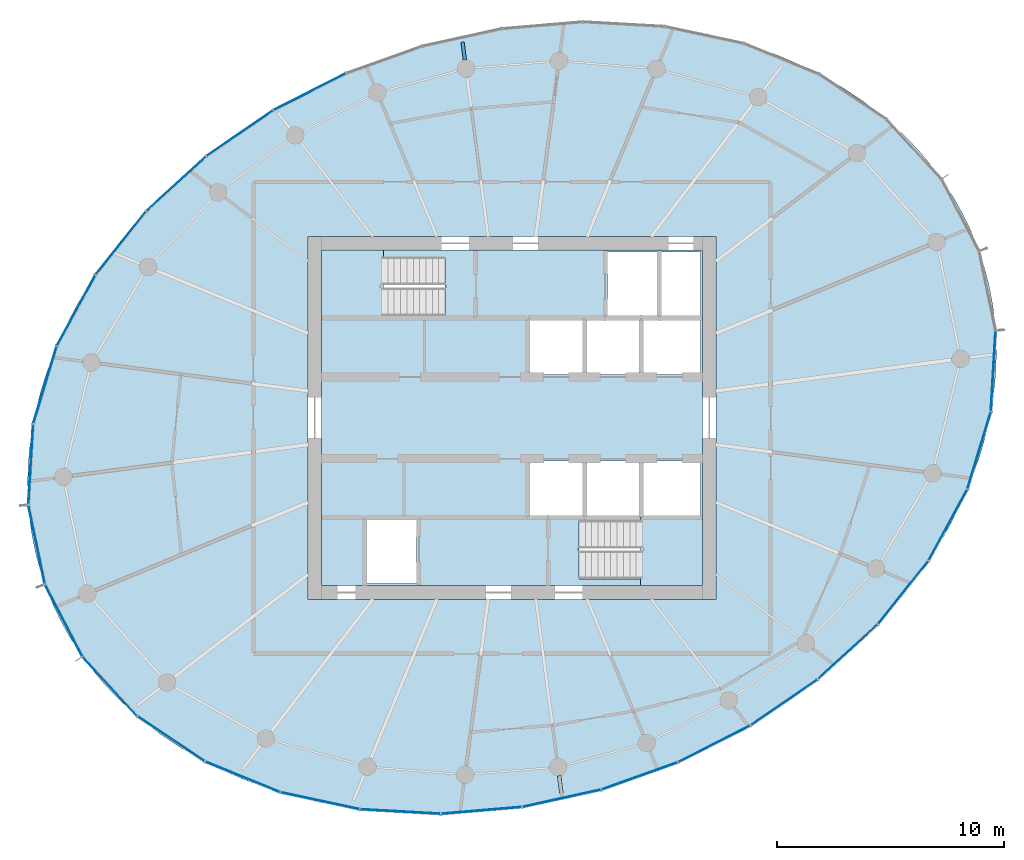
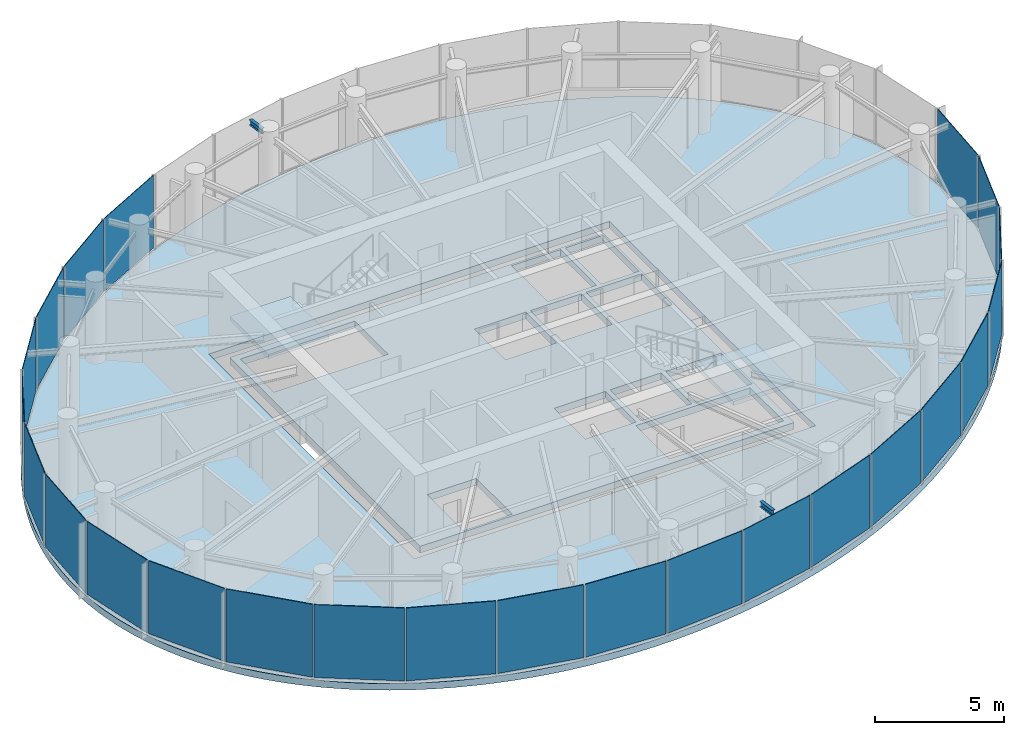
# One storey, part 7 of 13: 24 plates, 4 slabs, 2 beams, 7 elements without a shape of their own.
"""IFC4 building model written with IfcOpenShell, lengths in metres."""

from ifc_helpers import new_model, si_unit, direction, frame, origin, origin_2d, place, context, subcontext, project, spatial, line, indexed_curve, rectangle, i_section, outline, extrude, source, transform, mapped, material, layer, layer_set, material_profile, profile_set, type_object, element, aggregate, save


model = new_model("IFC4")

# Units and contexts
model_context = context("Model", 3, precision=1e-05, world=origin(), true_north=direction((0.0, 1.0)))
body_context = subcontext(model_context, "Body", "Model", "MODEL_VIEW")
ifc_project = project(units=[si_unit("LENGTHUNIT", "METRE"), si_unit("AREAUNIT", "SQUARE_METRE"), si_unit("VOLUMEUNIT", "CUBIC_METRE"), si_unit("PLANEANGLEUNIT", "RADIAN"), si_unit("MASSUNIT", "GRAM", prefix="KILO")], contexts=[model_context])

# Site, building, storey
site_placement = place(None, origin())
site = spatial("IfcSite", under=ifc_project, at=site_placement, CompositionType="ELEMENT")
building_placement = place(site_placement, origin())
building = spatial("IfcBuilding", under=site, at=building_placement, Name="Spindrift Exchange Tower", CompositionType="ELEMENT")
storey_placement = place(building_placement, frame((0.0, 0.0, 246.199951171875)))
storey = spatial("IfcBuildingStorey", under=building, at=storey_placement, Name="L60", CompositionType="ELEMENT", Elevation=246.199951171875)

# Beams
ifc_material_1 = material(Name="Steel Grade 300", Category="steel")
ifc_material_profile = material_profile(ifc_material_1, i_section(OverallWidth=0.14599609375, OverallDepth=0.251953125, WebThickness=0.006103515625, FlangeThickness=0.008544921875, FilletRadius=0.011962890625, at=origin_2d()), Name="250UB31.4")
ifc_profile_set = profile_set([ifc_material_profile], Name="Steel Grade 300")
beam_type = type_object("IfcBeamType", Name="Cantilever Beam 250UB31.4 Steel Grade 300", PredefinedType="BEAM", material=ifc_profile_set)
shared_shape_1 = source(origin(), body_context, "Body", "SweptSolid", [
    extrude(i_section(OverallWidth=0.14599609375, OverallDepth=0.251953125, WebThickness=0.006103515625, FlangeThickness=0.008544921875, FilletRadius=0.011962890625, at=origin_2d()), origin(), (0.0, 0.0, 1.0), 0.792236328125),
])
for number, where, z_axis, x_axis, name in (
    (1, (49.923583984375, 63.772705078125, 3.4541015625), (-0.130669755347, 0.991425950355, 0.0), (-0.991425950355, -0.130669755347, 0.0), "L60 cantilever beam R07T"),
    (2, (54.076416015625, 32.227294921875, 3.4541015625), (0.130669755347, -0.991425950355, 0.0), (0.991425950355, 0.130669755347, 0.0), "L60 cantilever beam R19T"),
):
    element("IfcBeam", number, at=place(storey_placement, frame(where, z_axis=z_axis, x_axis=x_axis)), inside=storey, type_object=beam_type, Name=name, PredefinedType="BEAM", context=body_context, shape_type="MappedRepresentation", body=[
        mapped(shared_shape_1, transform((0.0, 0.0, 0.0), scale=1.0)),
    ])

# Slabs
ifc_material_2 = material(Name="Concrete 40 MPa", Category="concrete")
ifc_layer_1 = layer(ifc_material_2, 0.320068359375)
ifc_layer_set_1 = layer_set([ifc_layer_1], Name="RC Floor Slab 320 Concrete 40 MPa")
slab_type_1 = type_object("IfcSlabType", Name="RC Floor Slab 320 Concrete 40 MPa", PredefinedType="FLOOR", material=ifc_layer_set_1)
slab_1_placement = place(storey_placement, frame((0.0, 0.0, -0.320068359375)))
element("IfcSlab", 3, at=slab_1_placement, inside=storey, type_object=slab_type_1, Name="Floor slab L60", PredefinedType="FLOOR", context=body_context, shape_type="SweptSolid", body=[
    extrude(outline(indexed_curve([(72.587646484375, 55.34765625), (72.469482421875, 55.665283203125), (72.20849609375, 56.291015625), (71.915283203125, 56.902099609375), (71.5908203125, 57.4970703125), (71.417236328125, 57.7880859375), (71.048095703125, 58.356689453125), (70.650634765625, 58.90576171875), (70.44189453125, 59.1728515625), (70.00537109375, 59.691162109375), (69.544189453125, 60.18798828125), (69.304931640625, 60.427978515625), (68.810302734375, 60.891357421875), (68.294921875, 61.331787109375), (68.0302734375, 61.54345703125), (67.4873046875, 61.94921875), (66.927490234375, 62.331298828125), (66.641845703125, 62.513916015625), (66.059814453125, 62.861328125), (65.464599609375, 63.185546875), (65.162353515625, 63.339111328125), (64.549560546875, 63.628662109375), (63.9267578125, 63.89599609375), (63.61181640625, 64.02099609375), (62.975341796875, 64.254638671875), (62.654296875, 64.36328125), (62.33154296875, 64.466552734375), (61.680908203125, 64.65673828125), (61.353515625, 64.743896484375), (60.6943359375, 64.902587890625), (60.363037109375, 64.97412109375), (59.697509765625, 65.101806640625), (59.363037109375, 65.158203125), (58.6923828125, 65.255859375), (57.681640625, 65.36572265625), (56.6669921875, 65.432861328125), (55.650634765625, 65.4580078125), (54.634033203125, 65.442138671875), (53.618896484375, 65.38671875), (52.6064453125, 65.2919921875), (51.598388671875, 65.1591796875), (50.595947265625, 64.9892578125), (49.6005859375, 64.78271484375), (48.613037109375, 64.539794921875), (47.63525390625, 64.26171875), (46.989013671875, 64.056884765625), (46.347900390625, 63.836669921875), (45.396484375, 63.477783203125), (44.769775390625, 63.2197265625), (44.1494140625, 62.94677734375), (43.2314453125, 62.509521484375), (42.330078125, 62.0390625), (41.4462890625, 61.5361328125), (40.58203125, 61.00048828125), (39.73876953125, 60.432861328125), (38.917724609375, 59.8330078125), (38.120849609375, 59.201416015625), (37.35009765625, 58.53857421875), (36.607177734375, 57.84423828125), (35.894287109375, 57.119384765625), (35.43701171875, 56.618896484375), (35.214111328125, 56.36376953125), (34.779541015625, 55.843505859375), (34.568359375, 55.578125), (34.15869140625, 55.0380859375), (33.96044921875, 54.76318359375), (33.577392578125, 54.2041015625), (33.392822265625, 53.919921875), (33.0380859375, 53.342041015625), (32.868408203125, 53.048828125), (32.703857421875, 52.75244140625), (32.390869140625, 52.1513671875), (32.24267578125, 51.846435546875), (31.96337890625, 51.22900390625), (31.707763671875, 50.60107421875), (31.477294921875, 49.963623046875), (31.37158203125, 49.6416015625), (31.1806640625, 48.9912109375), (31.01708984375, 48.33349609375), (30.9462890625, 48.001953125), (30.826416015625, 47.3349609375), (30.73681640625, 46.6630859375), (30.70361328125, 46.32568359375), (30.6611328125, 45.649169921875), (30.652099609375, 45.310302734375), (30.65869140625, 44.632568359375), (30.698974609375, 43.9560546875), (30.773193359375, 43.2822265625), (30.822998046875, 42.947021484375), (30.948486328125, 42.281005859375), (31.0244140625, 41.95068359375), (31.201416015625, 41.29638671875), (31.412353515625, 40.65234375), (31.530517578125, 40.334716796875), (31.79150390625, 39.708984375), (32.084716796875, 39.097900390625), (32.4091796875, 38.5029296875), (32.582763671875, 38.2119140625), (32.951904296875, 37.643310546875), (33.349365234375, 37.09423828125), (33.55810546875, 36.8271484375), (33.99462890625, 36.308837890625), (34.455810546875, 35.81201171875), (34.695068359375, 35.572021484375), (35.189697265625, 35.108642578125), (35.705078125, 34.668212890625), (35.9697265625, 34.45654296875), (36.5126953125, 34.05078125), (37.072509765625, 33.668701171875), (37.358154296875, 33.486083984375), (37.940185546875, 33.138671875), (38.535400390625, 32.814453125), (38.837646484375, 32.660888671875), (39.450439453125, 32.371337890625), (40.0732421875, 32.10400390625), (40.38818359375, 31.97900390625), (41.024658203125, 31.745361328125), (41.345703125, 31.63671875), (41.66845703125, 31.533447265625), (42.319091796875, 31.34326171875), (42.646484375, 31.256103515625), (43.3056640625, 31.097412109375), (43.636962890625, 31.02587890625), (44.302490234375, 30.898193359375), (44.636962890625, 30.841796875), (45.3076171875, 30.744140625), (46.318359375, 30.63427734375), (47.3330078125, 30.567138671875), (48.349365234375, 30.5419921875), (49.365966796875, 30.557861328125), (50.381103515625, 30.61328125), (51.3935546875, 30.7080078125), (52.401611328125, 30.8408203125), (53.404052734375, 31.0107421875), (54.3994140625, 31.21728515625), (55.386962890625, 31.460205078125), (56.36474609375, 31.73828125), (57.010986328125, 31.943115234375), (57.652099609375, 32.163330078125), (58.603515625, 32.522216796875), (59.230224609375, 32.7802734375), (59.8505859375, 33.05322265625), (60.7685546875, 33.490478515625), (61.669921875, 33.9609375), (62.5537109375, 34.4638671875), (63.41796875, 34.99951171875), (64.26123046875, 35.567138671875), (65.082275390625, 36.1669921875), (65.879150390625, 36.798583984375), (66.64990234375, 37.46142578125), (67.392822265625, 38.15576171875), (68.105712890625, 38.880615234375), (68.56298828125, 39.381103515625), (68.785888671875, 39.63623046875), (69.220458984375, 40.156494140625), (69.431640625, 40.421875), (69.84130859375, 40.9619140625), (70.03955078125, 41.23681640625), (70.422607421875, 41.7958984375), (70.607177734375, 42.080078125), (70.9619140625, 42.657958984375), (71.131591796875, 42.951171875), (71.296142578125, 43.24755859375), (71.609130859375, 43.8486328125), (71.75732421875, 44.153564453125), (72.03662109375, 44.77099609375), (72.292236328125, 45.39892578125), (72.522705078125, 46.036376953125), (72.62841796875, 46.3583984375), (72.8193359375, 47.0087890625), (72.98291015625, 47.66650390625), (73.0537109375, 47.998046875), (73.173583984375, 48.6650390625), (73.26318359375, 49.3369140625), (73.29638671875, 49.67431640625), (73.3388671875, 50.350830078125), (73.347900390625, 50.689697265625), (73.34130859375, 51.367431640625), (73.301025390625, 52.0439453125), (73.226806640625, 52.7177734375), (73.177001953125, 53.052978515625), (73.051513671875, 53.718994140625), (72.9755859375, 54.04931640625), (72.798583984375, 54.70361328125)], segments=[line(1, 2, 3, 4, 5, 6, 7, 8, 9, 10, 11, 12, 13, 14, 15, 16, 17, 18, 19, 20, 21, 22, 23, 24, 25, 26, 27, 28, 29, 30, 31, 32, 33, 34, 35, 36, 37, 38, 39, 40, 41, 42, 43, 44, 45, 46, 47, 48, 49, 50, 51, 52, 53, 54, 55, 56, 57, 58, 59, 60, 61, 62, 63, 64, 65, 66, 67, 68, 69, 70, 71, 72, 73, 74, 75, 76, 77, 78, 79, 80, 81, 82, 83, 84, 85, 86, 87, 88, 89, 90, 91, 92, 93, 94, 95, 96, 97, 98, 99, 100, 101, 102, 103, 104, 105, 106, 107, 108, 109, 110, 111, 112, 113, 114, 115, 116, 117, 118, 119, 120, 121, 122, 123, 124, 125, 126, 127, 128, 129, 130, 131, 132, 133, 134, 135, 136, 137, 138, 139, 140, 141, 142, 143, 144, 145, 146, 147, 148, 149, 150, 151, 152, 153, 154, 155, 156, 157, 158, 159, 160, 161, 162, 163, 164, 165, 166, 167, 168, 169, 170, 171, 172, 173, 174, 175, 176, 177, 178, 179, 180, 181, 182, 183, 184, 1)], self_intersect=False), holes=[indexed_curve([(43.0, 40.0), (61.0, 40.0), (61.0, 56.0), (43.0, 56.0)], segments=[line(1, 2, 3, 4, 1)], self_intersect=False)]), origin(), (0.0, 0.0, 1.0), 0.320068359375),
])
ifc_material_3 = material(Name="Concrete 50 MPa", Category="concrete")
ifc_layer_2 = layer(ifc_material_3, 0.320068359375)
ifc_layer_set_2 = layer_set([ifc_layer_2], Name="SL-CORE-FLOOR-320")
slab_type_2 = type_object("IfcSlabType", Name="SL-CORE-FLOOR-320", PredefinedType="FLOOR", material=ifc_layer_set_2)
slab_2_placement = place(storey_placement, frame((0.0, 0.0, -0.320068359375)))
element("IfcSlab", 4, at=slab_2_placement, inside=storey, type_object=slab_type_2, Name="L60 Core floor slab", PredefinedType="FLOOR", context=body_context, shape_type="SweptSolid", body=[
    extrude(outline(indexed_curve([(43.60009765625, 40.60009765625), (43.60009765625, 55.39990234375), (60.39990234375, 55.39990234375), (60.39990234375, 40.60009765625)], segments=[line(1, 2, 3, 4, 1)], self_intersect=False), holes=[indexed_curve([(45.60009765625, 43.5), (45.60009765625, 40.699951171875), (47.800048828125, 40.699951171875), (47.800048828125, 43.5)], segments=[line(1, 2, 3, 4, 1)], self_intersect=False), indexed_curve([(52.800048828125, 46.10009765625), (52.800048828125, 43.699951171875), (55.10009765625, 43.699951171875), (55.10009765625, 46.10009765625)], segments=[line(1, 2, 3, 4, 1)], self_intersect=False), indexed_curve([(55.300048828125, 46.10009765625), (55.300048828125, 43.699951171875), (57.60009765625, 43.699951171875), (57.60009765625, 46.10009765625)], segments=[line(1, 2, 3, 4, 1)], self_intersect=False), indexed_curve([(55.10009765625, 52.300048828125), (52.800048828125, 52.300048828125), (52.800048828125, 49.89990234375), (55.10009765625, 49.89990234375)], segments=[line(1, 2, 3, 4, 1)], self_intersect=False), indexed_curve([(57.60009765625, 52.300048828125), (55.300048828125, 52.300048828125), (55.300048828125, 49.89990234375), (57.60009765625, 49.89990234375)], segments=[line(1, 2, 3, 4, 1)], self_intersect=False), indexed_curve([(43.906005859375, 52.506103515625), (49.0439453125, 52.506103515625), (49.0439453125, 55.093994140625), (43.906005859375, 55.093994140625)], segments=[line(1, 2, 3, 4, 1)], self_intersect=False), indexed_curve([(60.093994140625, 40.906005859375), (60.093994140625, 43.493896484375), (54.9560546875, 43.493896484375), (54.9560546875, 40.906005859375)], segments=[line(1, 2, 3, 4, 1)], self_intersect=False), indexed_curve([(60.300048828125, 46.10009765625), (57.800048828125, 46.10009765625), (57.800048828125, 43.699951171875), (60.300048828125, 43.699951171875)], segments=[line(1, 2, 3, 4, 1)], self_intersect=False), indexed_curve([(57.800048828125, 52.300048828125), (57.800048828125, 49.89990234375), (60.300048828125, 49.89990234375), (60.300048828125, 52.300048828125)], segments=[line(1, 2, 3, 4, 1)], self_intersect=False), indexed_curve([(58.39990234375, 55.300048828125), (56.199951171875, 55.300048828125), (56.199951171875, 52.5), (58.39990234375, 52.5)], segments=[line(1, 2, 3, 4, 1)], self_intersect=False), indexed_curve([(60.300048828125, 55.300048828125), (58.60009765625, 55.300048828125), (58.60009765625, 52.5), (60.300048828125, 52.5)], segments=[line(1, 2, 3, 4, 1)], self_intersect=False)]), origin(), (0.0, 0.0, 1.0), 0.320068359375),
])

# Stair, slab
stair_type = type_object("IfcStairType", Name="ST-1250-R177", PredefinedType="HALF_TURN_STAIR", material=ifc_material_3)
stair_1_placement = place(storey_placement, origin())
stair_1 = element("IfcStair", 5, at=stair_1_placement, inside=storey, type_object=stair_type, Name="L60 Exit stair ST1", PredefinedType="HALF_TURN_STAIR")
ifc_layer_3 = layer(ifc_material_3, 0.199951171875)
ifc_layer_set_3 = layer_set([ifc_layer_3], Name="SL-LANDING")
slab_type_3 = type_object("IfcSlabType", Name="SL-LANDING", PredefinedType="LANDING", material=ifc_layer_set_3)
slab_3_placement = place(storey_placement, frame((0.0, 0.0, 1.75)))
slab_3 = element("IfcSlab", 6, at=slab_3_placement, type_object=slab_type_3, Name="ST1 landing 1", PredefinedType="LANDING", context=body_context, shape_type="SweptSolid", body=[
    extrude(outline(indexed_curve([(46.330078125, 52.39990234375), (43.60009765625, 52.39990234375), (43.60009765625, 55.39990234375), (46.330078125, 55.39990234375)], segments=[line(1, 2, 3, 4, 1)], self_intersect=False)), origin(), (0.0, 0.0, 1.0), 0.199951171875),
])
aggregate(stair_1, [slab_3])

stair_2_placement = place(storey_placement, origin())
stair_2 = element("IfcStair", 7, at=stair_2_placement, inside=storey, type_object=stair_type, Name="L60 Exit stair ST2", PredefinedType="HALF_TURN_STAIR")
slab_4_placement = place(storey_placement, frame((0.0, 0.0, 1.75)))
slab_4 = element("IfcSlab", 8, at=slab_4_placement, type_object=slab_type_3, Name="ST2 landing 1", PredefinedType="LANDING", context=body_context, shape_type="SweptSolid", body=[
    extrude(outline(indexed_curve([(57.669921875, 43.60009765625), (60.39990234375, 43.60009765625), (60.39990234375, 40.60009765625), (57.669921875, 40.60009765625)], segments=[line(1, 2, 3, 4, 1)], self_intersect=False)), origin(), (0.0, 0.0, 1.0), 0.199951171875),
])
aggregate(stair_2, [slab_4])

# Curtain wall, plate
ifc_material_4 = material(Name="Fritted laminated glass with bronze frame", Category="glass")
ifc_layer_4 = layer(ifc_material_4, 0.159912109375)
ifc_layer_set_4 = layer_set([ifc_layer_4], Name="ZONE 5 BRONZE FRITTED WALL")
curtain_wall_type = type_object("IfcCurtainWallType", Name="ZONE 5 BRONZE FRITTED WALL", PredefinedType="NOTDEFINED", material=ifc_layer_set_4)
curtain_wall_1_placement = place(storey_placement, origin())
curtain_wall_1 = element("IfcCurtainWall", 9, at=curtain_wall_1_placement, inside=storey, type_object=curtain_wall_type, Name="L60 Zone 5 Bronze Fritted Wall run 4", PredefinedType="NOTDEFINED")
ifc_material_5 = material(Name="Bronze fritted laminated glass, open frit", Category="glass")
ifc_layer_5 = layer(ifc_material_5, 0.028076171875)
ifc_layer_set_5 = layer_set([ifc_layer_5], Name="ZONE 5 BRONZE FRITTED WALL PANEL OPEN FRIT 480")
plate_type_1 = type_object("IfcPlateType", Name="ZONE 5 BRONZE FRITTED WALL PANEL OPEN FRIT 480", PredefinedType="CURTAIN_PANEL", material=ifc_layer_set_5)
shared_shape_2 = source(origin(), body_context, "Body", "SweptSolid", [
    extrude(rectangle(XDim=3.52587890625, YDim=0.028076171875, at=origin_2d()), origin(), (0.0, 0.0, 1.0), 3.4599609375),
])
plate_1_placement = place(storey_placement, frame((50.654296875, 30.69580078125, 0.1201171875), z_axis=(0.0, 0.0, 1.0), x_axis=(0.996459188523, 0.084077854451, 0.0)))
plate_1 = element("IfcPlate", 10, at=plate_1_placement, type_object=plate_type_1, Name="L60 panel CW-5.24", PredefinedType="CURTAIN_PANEL", context=body_context, shape_type="MappedRepresentation", body=[
    mapped(shared_shape_2, transform((0.0, 0.0, 0.0), scale=1.0)),
])

# Curtain wall, plates
curtain_wall_2_placement = place(storey_placement, origin())
curtain_wall_2 = element("IfcCurtainWall", 11, at=curtain_wall_2_placement, inside=storey, type_object=curtain_wall_type, Name="L60 Zone 5 Bronze Fritted Wall run 5", PredefinedType="NOTDEFINED")
ifc_layer_6 = layer(ifc_material_5, 0.028076171875)
ifc_layer_set_6 = layer_set([ifc_layer_6], Name="ZONE 5 BRONZE FRITTED WALL PANEL OPEN FRIT 600")
plate_type_2 = type_object("IfcPlateType", Name="ZONE 5 BRONZE FRITTED WALL PANEL OPEN FRIT 600", PredefinedType="CURTAIN_PANEL", material=ifc_layer_set_6)
shared_shape_3 = source(origin(), body_context, "Body", "SweptSolid", [
    extrude(rectangle(XDim=3.5263671875, YDim=0.028076171875, at=origin_2d()), origin(), (0.0, 0.0, 1.0), 3.4599609375),
])
plate_2_placement = place(storey_placement, frame((54.192626953125, 31.230224609375, 0.1201171875), z_axis=(0.0, 0.0, 1.0), x_axis=(0.976837268693, 0.213983528553, 0.0)))
plate_2 = element("IfcPlate", 12, at=plate_2_placement, type_object=plate_type_2, Name="L60 panel CW-5.25", PredefinedType="CURTAIN_PANEL", context=body_context, shape_type="MappedRepresentation", body=[
    mapped(shared_shape_3, transform((0.0, 0.0, 0.0), scale=1.0)),
])
plate_3_placement = place(storey_placement, frame((57.633056640625, 32.216796875, 0.1201171875), z_axis=(0.0, 0.0, 1.0), x_axis=(0.941814234218, 0.336133824875, 0.0)))
plate_3 = element("IfcPlate", 13, at=plate_3_placement, type_object=plate_type_2, Name="L60 panel CW-5.26", PredefinedType="CURTAIN_PANEL", context=body_context, shape_type="MappedRepresentation", body=[
    mapped(shared_shape_3, transform((0.0, 0.0, 0.0), scale=1.0)),
])

# Curtain wall, plate
curtain_wall_3_placement = place(storey_placement, origin())
curtain_wall_3 = element("IfcCurtainWall", 14, at=curtain_wall_3_placement, inside=storey, type_object=curtain_wall_type, Name="L60 Zone 5 Bronze Fritted Wall run 3", PredefinedType="NOTDEFINED")
ifc_layer_7 = layer(ifc_material_5, 0.028076171875)
ifc_layer_set_7 = layer_set([ifc_layer_7], Name="ZONE 5 BRONZE FRITTED WALL PANEL OPEN FRIT 360")
plate_type_3 = type_object("IfcPlateType", Name="ZONE 5 BRONZE FRITTED WALL PANEL OPEN FRIT 360", PredefinedType="CURTAIN_PANEL", material=ifc_layer_set_7)
shared_shape_4 = source(origin(), body_context, "Body", "SweptSolid", [
    extrude(rectangle(XDim=3.524658203125, YDim=0.028076171875, at=origin_2d()), origin(), (0.0, 0.0, 1.0), 3.4599609375),
])
plate_4_placement = place(storey_placement, frame((34.76220703125, 55.7041015625, 0.1201171875), z_axis=(0.0, 0.0, 1.0), x_axis=(-0.624065084566, -0.781372363362, 0.0)))
plate_4 = element("IfcPlate", 15, at=plate_4_placement, type_object=plate_type_3, Name="L60 panel CW-5.13", PredefinedType="CURTAIN_PANEL", context=body_context, shape_type="MappedRepresentation", body=[
    mapped(shared_shape_4, transform((0.0, 0.0, 0.0), scale=1.0)),
])

# Plate
plate_5_placement = place(storey_placement, frame((69.23779296875, 40.2958984375, 0.1201171875), z_axis=(0.0, 0.0, 1.0), x_axis=(0.624065084566, 0.781372363362, 0.0)))
plate_5 = element("IfcPlate", 16, at=plate_5_placement, type_object=plate_type_3, Name="L60 panel CW-5.30", PredefinedType="CURTAIN_PANEL", context=body_context, shape_type="MappedRepresentation", body=[
    mapped(shared_shape_4, transform((0.0, 0.0, 0.0), scale=1.0)),
])

# Curtain wall, plate
curtain_wall_4_placement = place(storey_placement, origin())
curtain_wall_4 = element("IfcCurtainWall", 17, at=curtain_wall_4_placement, inside=storey, type_object=curtain_wall_type, Name="L60 Zone 5 Bronze Fritted Wall run 6", PredefinedType="NOTDEFINED")
shared_shape_5 = source(origin(), body_context, "Body", "SweptSolid", [
    extrude(rectangle(XDim=3.519287109375, YDim=0.028076171875, at=origin_2d()), origin(), (0.0, 0.0, 1.0), 3.4599609375),
])
plate_6_placement = place(storey_placement, frame((73.211669921875, 50.05859375, 0.1201171875), z_axis=(0.0, 0.0, 1.0), x_axis=(0.058560671029, 0.998283851321, 0.0)))
plate_6 = element("IfcPlate", 18, at=plate_6_placement, type_object=plate_type_2, Name="L60 panel CW-5.33", PredefinedType="CURTAIN_PANEL", context=body_context, shape_type="MappedRepresentation", body=[
    mapped(shared_shape_5, transform((0.0, 0.0, 0.0), scale=1.0)),
])

# Plate
shared_shape_6 = source(origin(), body_context, "Body", "SweptSolid", [
    extrude(rectangle(XDim=3.519287109375, YDim=0.028076171875, at=origin_2d()), origin(), (0.0, 0.0, 1.0), 3.4599609375),
])
plate_7_placement = place(storey_placement, frame((30.788330078125, 45.94140625, 0.1201171875), z_axis=(0.0, 0.0, 1.0), x_axis=(-0.058560671029, -0.998283851321, 0.0)))
plate_7 = element("IfcPlate", 19, at=plate_7_placement, type_object=plate_type_3, Name="L60 panel CW-5.16", PredefinedType="CURTAIN_PANEL", context=body_context, shape_type="MappedRepresentation", body=[
    mapped(shared_shape_6, transform((0.0, 0.0, 0.0), scale=1.0)),
])

shared_shape_7 = source(origin(), body_context, "Body", "SweptSolid", [
    extrude(rectangle(XDim=3.521484375, YDim=0.028076171875, at=origin_2d()), origin(), (0.0, 0.0, 1.0), 3.4599609375),
])
plate_8_placement = place(storey_placement, frame((36.9775390625, 33.84912109375, 0.1201171875), z_axis=(0.0, 0.0, 1.0), x_axis=(0.830435496091, -0.557114787841, 0.0)))
plate_8 = element("IfcPlate", 20, at=plate_8_placement, type_object=plate_type_2, Name="L60 panel CW-5.20", PredefinedType="CURTAIN_PANEL", context=body_context, shape_type="MappedRepresentation", body=[
    mapped(shared_shape_7, transform((0.0, 0.0, 0.0), scale=1.0)),
])

shared_shape_8 = source(origin(), body_context, "Body", "SweptSolid", [
    extrude(rectangle(XDim=3.5234375, YDim=0.028076171875, at=origin_2d()), origin(), (0.0, 0.0, 1.0), 3.4599609375),
])
plate_9_placement = place(storey_placement, frame((32.787841796875, 52.7294921875, 0.1201171875), z_axis=(0.0, 0.0, 1.0), x_axis=(-0.477647976522, -0.878551313541, 0.0)))
plate_9 = element("IfcPlate", 21, at=plate_9_placement, type_object=plate_type_3, Name="L60 panel CW-5.14", PredefinedType="CURTAIN_PANEL", context=body_context, shape_type="MappedRepresentation", body=[
    mapped(shared_shape_8, transform((0.0, 0.0, 0.0), scale=1.0)),
])

plate_10_placement = place(storey_placement, frame((71.212158203125, 43.2705078125, 0.1201171875), z_axis=(0.0, 0.0, 1.0), x_axis=(0.477647976522, 0.878551313541, 0.0)))
plate_10 = element("IfcPlate", 22, at=plate_10_placement, type_object=plate_type_3, Name="L60 panel CW-5.31", PredefinedType="CURTAIN_PANEL", context=body_context, shape_type="MappedRepresentation", body=[
    mapped(shared_shape_8, transform((0.0, 0.0, 0.0), scale=1.0)),
])

shared_shape_9 = source(origin(), body_context, "Body", "SweptSolid", [
    extrude(rectangle(XDim=3.525390625, YDim=0.028076171875, at=origin_2d()), origin(), (0.0, 0.0, 1.0), 3.4599609375),
])
plate_11_placement = place(storey_placement, frame((66.797607421875, 37.683837890625, 0.1201171875), z_axis=(0.0, 0.0, 1.0), x_axis=(0.737186537346, 0.675689284476, 0.0)))
plate_11 = element("IfcPlate", 23, at=plate_11_placement, type_object=plate_type_1, Name="L60 panel CW-5.29", PredefinedType="CURTAIN_PANEL", context=body_context, shape_type="MappedRepresentation", body=[
    mapped(shared_shape_9, transform((0.0, 0.0, 0.0), scale=1.0)),
])

# Curtain wall, plate
curtain_wall_5_placement = place(storey_placement, origin())
curtain_wall_5 = element("IfcCurtainWall", 24, at=curtain_wall_5_placement, inside=storey, type_object=curtain_wall_type, Name="L60 Zone 5 Bronze Fritted Wall run 2", PredefinedType="NOTDEFINED")
shared_shape_10 = source(origin(), body_context, "Body", "SweptSolid", [
    extrude(rectangle(XDim=3.526123046875, YDim=0.028076171875, at=origin_2d()), origin(), (0.0, 0.0, 1.0), 3.4599609375),
])
plate_12_placement = place(storey_placement, frame((43.079345703125, 62.368408203125, 0.1201171875), z_axis=(0.0, 0.0, 1.0), x_axis=(-0.891576321815, -0.452870469757, 0.0)))
plate_12 = element("IfcPlate", 25, at=plate_12_placement, type_object=plate_type_3, Name="L60 panel CW-5.10", PredefinedType="CURTAIN_PANEL", context=body_context, shape_type="MappedRepresentation", body=[
    mapped(shared_shape_10, transform((0.0, 0.0, 0.0), scale=1.0)),
])

# Plate
plate_13_placement = place(storey_placement, frame((60.920654296875, 33.631591796875, 0.1201171875), z_axis=(0.0, 0.0, 1.0), x_axis=(0.891576321815, 0.452870469757, 0.0)))
plate_13 = element("IfcPlate", 26, at=plate_13_placement, type_object=plate_type_3, Name="L60 panel CW-5.27", PredefinedType="CURTAIN_PANEL", context=body_context, shape_type="MappedRepresentation", body=[
    mapped(shared_shape_10, transform((0.0, 0.0, 0.0), scale=1.0)),
])

shared_shape_11 = source(origin(), body_context, "Body", "SweptSolid", [
    extrude(rectangle(XDim=3.517578125, YDim=0.028076171875, at=origin_2d()), origin(), (0.0, 0.0, 1.0), 3.4599609375),
])
plate_14_placement = place(storey_placement, frame((32.2392578125, 39.06591796875, 0.1201171875), z_axis=(0.0, 0.0, 1.0), x_axis=(0.462188224264, -0.886781847667, 0.0)))
plate_14 = element("IfcPlate", 27, at=plate_14_placement, type_object=plate_type_3, Name="L60 panel CW-5.18", PredefinedType="CURTAIN_PANEL", context=body_context, shape_type="MappedRepresentation", body=[
    mapped(shared_shape_11, transform((0.0, 0.0, 0.0), scale=1.0)),
])

shared_shape_12 = source(origin(), body_context, "Body", "SweptSolid", [
    extrude(rectangle(XDim=3.519287109375, YDim=0.028076171875, at=origin_2d()), origin(), (0.0, 0.0, 1.0), 3.4599609375),
])
plate_15_placement = place(storey_placement, frame((34.2783203125, 36.163330078125, 0.1201171875), z_axis=(0.0, 0.0, 1.0), x_axis=(0.677394833012, -0.735619630114, 0.0)))
plate_15 = element("IfcPlate", 28, at=plate_15_placement, type_object=plate_type_1, Name="L60 panel CW-5.19", PredefinedType="CURTAIN_PANEL", context=body_context, shape_type="MappedRepresentation", body=[
    mapped(shared_shape_12, transform((0.0, 0.0, 0.0), scale=1.0)),
])

shared_shape_13 = source(origin(), body_context, "Body", "SweptSolid", [
    extrude(rectangle(XDim=3.52587890625, YDim=0.028076171875, at=origin_2d()), origin(), (0.0, 0.0, 1.0), 3.4599609375),
])
plate_16_placement = place(storey_placement, frame((40.002197265625, 60.5419921875, 0.1201171875), z_axis=(0.0, 0.0, 1.0), x_axis=(-0.824536227037, -0.56580916421, 0.0)))
plate_16 = element("IfcPlate", 29, at=plate_16_placement, type_object=plate_type_2, Name="L60 panel CW-5.11", PredefinedType="CURTAIN_PANEL", context=body_context, shape_type="MappedRepresentation", body=[
    mapped(shared_shape_13, transform((0.0, 0.0, 0.0), scale=1.0)),
])

plate_17_placement = place(storey_placement, frame((63.997802734375, 35.4580078125, 0.1201171875), z_axis=(0.0, 0.0, 1.0), x_axis=(0.824536227037, 0.56580916421, 0.0)))
plate_17 = element("IfcPlate", 30, at=plate_17_placement, type_object=plate_type_2, Name="L60 panel CW-5.28", PredefinedType="CURTAIN_PANEL", context=body_context, shape_type="MappedRepresentation", body=[
    mapped(shared_shape_13, transform((0.0, 0.0, 0.0), scale=1.0)),
])

aggregate(curtain_wall_2, [plate_2, plate_3, plate_13, plate_17, plate_11, plate_5])

shared_shape_14 = source(origin(), body_context, "Body", "SweptSolid", [
    extrude(rectangle(XDim=3.521484375, YDim=0.028076171875, at=origin_2d()), origin(), (0.0, 0.0, 1.0), 3.4599609375),
])
plate_18_placement = place(storey_placement, frame((31.41259765625, 49.441650390625, 0.1201171875), z_axis=(0.0, 0.0, 1.0), x_axis=(-0.290040822142, -0.957014274445, 0.0)))
plate_18 = element("IfcPlate", 31, at=plate_18_placement, type_object=plate_type_1, Name="L60 panel CW-5.15", PredefinedType="CURTAIN_PANEL", context=body_context, shape_type="MappedRepresentation", body=[
    mapped(shared_shape_14, transform((0.0, 0.0, 0.0), scale=1.0)),
])

plate_19_placement = place(storey_placement, frame((72.58740234375, 46.558349609375, 0.1201171875), z_axis=(0.0, 0.0, 1.0), x_axis=(0.290040822142, 0.957014274445, 0.0)))
plate_19 = element("IfcPlate", 32, at=plate_19_placement, type_object=plate_type_1, Name="L60 panel CW-5.32", PredefinedType="CURTAIN_PANEL", context=body_context, shape_type="MappedRepresentation", body=[
    mapped(shared_shape_14, transform((0.0, 0.0, 0.0), scale=1.0)),
])

aggregate(curtain_wall_4, [plate_10, plate_19, plate_6])

shared_shape_15 = source(origin(), body_context, "Body", "SweptSolid", [
    extrude(rectangle(XDim=3.517578125, YDim=0.028076171875, at=origin_2d()), origin(), (0.0, 0.0, 1.0), 3.4599609375),
])
plate_20_placement = place(storey_placement, frame((31.048095703125, 42.403564453125, 0.1201171875), z_axis=(0.0, 0.0, 1.0), x_axis=(0.203716935835, -0.979029831034, 0.0)))
plate_20 = element("IfcPlate", 33, at=plate_20_placement, type_object=plate_type_2, Name="L60 panel CW-5.17", PredefinedType="CURTAIN_PANEL", context=body_context, shape_type="MappedRepresentation", body=[
    mapped(shared_shape_15, transform((0.0, 0.0, 0.0), scale=1.0)),
])

aggregate(curtain_wall_3, [plate_4, plate_9, plate_18, plate_7, plate_20, plate_14])

shared_shape_16 = source(origin(), body_context, "Body", "SweptSolid", [
    extrude(rectangle(XDim=3.5234375, YDim=0.028076171875, at=origin_2d()), origin(), (0.0, 0.0, 1.0), 3.4599609375),
])
plate_21_placement = place(storey_placement, frame((40.123779296875, 32.1748046875, 0.1201171875), z_axis=(0.0, 0.0, 1.0), x_axis=(0.925957608506, -0.377627471523, 0.0)))
plate_21 = element("IfcPlate", 34, at=plate_21_placement, type_object=plate_type_2, Name="L60 panel CW-5.21", PredefinedType="CURTAIN_PANEL", context=body_context, shape_type="MappedRepresentation", body=[
    mapped(shared_shape_16, transform((0.0, 0.0, 0.0), scale=1.0)),
])

shared_shape_17 = source(origin(), body_context, "Body", "SweptSolid", [
    extrude(rectangle(XDim=3.52490234375, YDim=0.028076171875, at=origin_2d()), origin(), (0.0, 0.0, 1.0), 3.4599609375),
])
plate_22_placement = place(storey_placement, frame((43.535400390625, 31.12255859375, 0.1201171875), z_axis=(0.0, 0.0, 1.0), x_axis=(0.977773357631, -0.209664639621, 0.0)))
plate_22 = element("IfcPlate", 35, at=plate_22_placement, type_object=plate_type_1, Name="L60 panel CW-5.22", PredefinedType="CURTAIN_PANEL", context=body_context, shape_type="MappedRepresentation", body=[
    mapped(shared_shape_17, transform((0.0, 0.0, 0.0), scale=1.0)),
])

shared_shape_18 = source(origin(), body_context, "Body", "SweptSolid", [
    extrude(rectangle(XDim=3.525390625, YDim=0.028076171875, at=origin_2d()), origin(), (0.0, 0.0, 1.0), 3.4599609375),
])
plate_23_placement = place(storey_placement, frame((37.202392578125, 58.316162109375, 0.1201171875), z_axis=(0.0, 0.0, 1.0), x_axis=(-0.737186537346, -0.675689284476, 0.0)))
plate_23 = element("IfcPlate", 36, at=plate_23_placement, type_object=plate_type_3, Name="L60 panel CW-5.12", PredefinedType="CURTAIN_PANEL", context=body_context, shape_type="MappedRepresentation", body=[
    mapped(shared_shape_18, transform((0.0, 0.0, 0.0), scale=1.0)),
])

aggregate(curtain_wall_5, [plate_12, plate_16, plate_23])

plate_24_placement = place(storey_placement, frame((47.077880859375, 30.64599609375, 0.1201171875), z_axis=(0.0, 0.0, 1.0), x_axis=(0.998417981156, -0.056227528, 0.0)))
plate_24 = element("IfcPlate", 37, at=plate_24_placement, type_object=plate_type_3, Name="L60 panel CW-5.23", PredefinedType="CURTAIN_PANEL", context=body_context, shape_type="MappedRepresentation", body=[
    mapped(shared_shape_18, transform((0.0, 0.0, 0.0), scale=1.0)),
])

aggregate(curtain_wall_1, [plate_15, plate_8, plate_21, plate_22, plate_24, plate_1])

save(model, "model.ifc")
